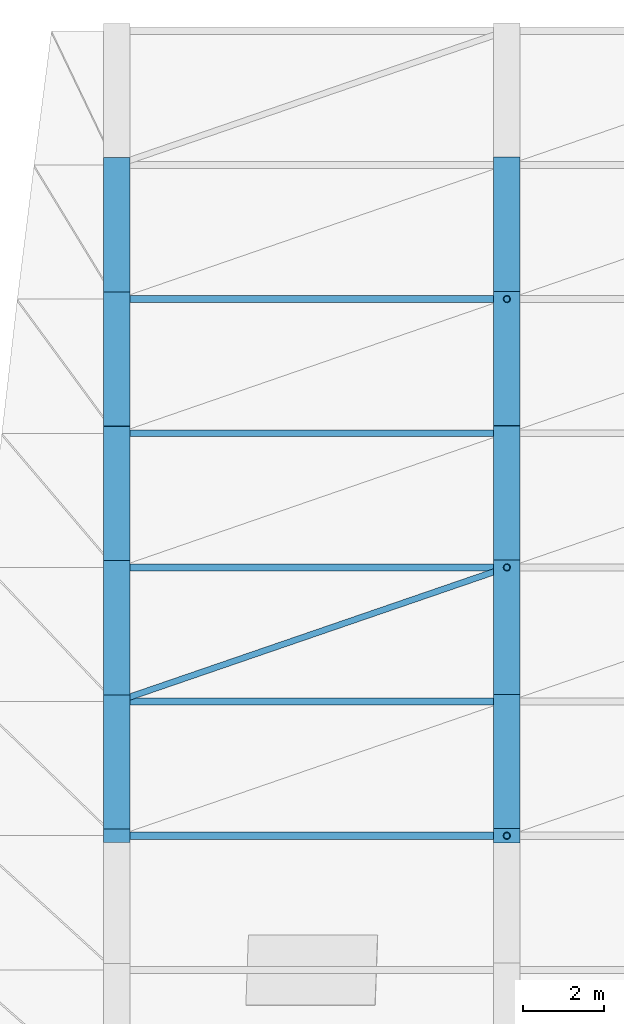
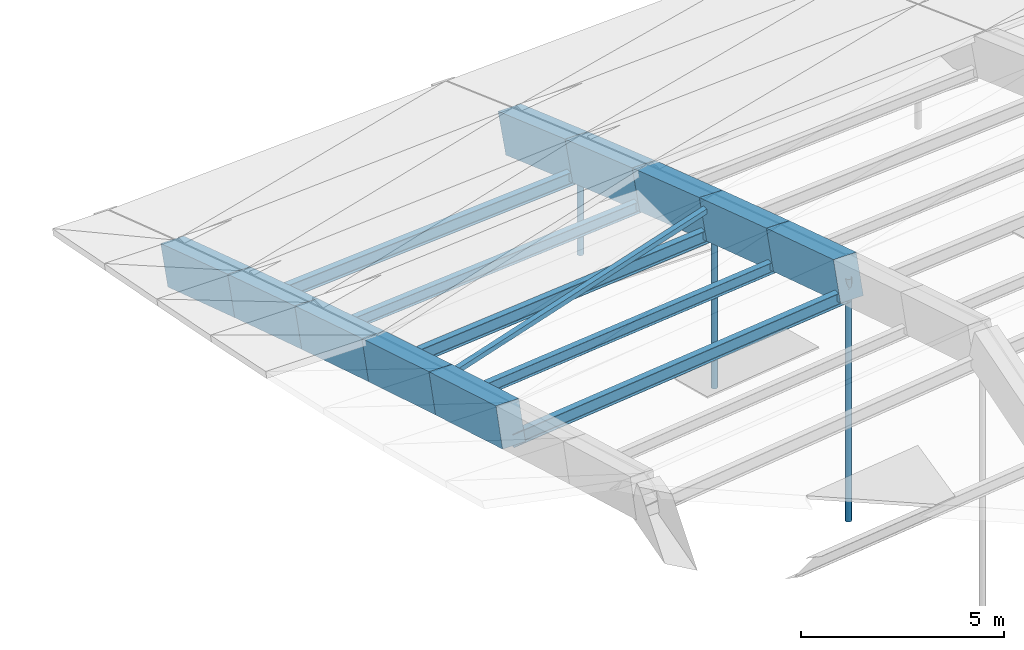
# One storey, part 18 of 43: 10 beams, 9 members.
"""IFC4 building model written with IfcOpenShell, lengths in metres."""

from ifc_helpers import new_model, si_unit, direction, frame, origin, origin_2d, place, context, subcontext, project, spatial, rectangle, hollow_rectangle, hollow_circle, i_section, extrude, material, material_profile, profile_set, type_object, element, save


model = new_model("IFC4")

# Units and contexts
model_context = context("Model", 3, precision=1e-05, world=origin(), true_north=direction((0.0, 1.0)))
body_context = subcontext(model_context, "Body", "Model", "MODEL_VIEW")
ifc_project = project(units=[si_unit("LENGTHUNIT", "METRE"), si_unit("AREAUNIT", "SQUARE_METRE"), si_unit("VOLUMEUNIT", "CUBIC_METRE"), si_unit("PLANEANGLEUNIT", "RADIAN"), si_unit("MASSUNIT", "GRAM", prefix="KILO")], contexts=[model_context])

# Site, building, storey
site_placement = place(None, origin())
site = spatial("IfcSite", under=ifc_project, at=site_placement, CompositionType="ELEMENT")
building_placement = place(site_placement, origin())
building = spatial("IfcBuilding", under=site, at=building_placement, Name="Chalmorin Arch Market", CompositionType="ELEMENT")
storey_placement = place(building_placement, frame((0.0, 0.0, 18.60009765625)))
storey = spatial("IfcBuildingStorey", under=building, at=storey_placement, Name="RF", CompositionType="ELEMENT", Elevation=18.60009765625)

# Members
ifc_material_1 = material(Name="Steel A500 Grade C", Category="steel")
ifc_material_profile_1 = material_profile(ifc_material_1, hollow_circle(Radius=0.084228515625, WallThickness=0.007080078125, at=origin_2d()), Name="CHS168X7")
ifc_profile_set_1 = profile_set([ifc_material_profile_1], Name="Steel A500 Grade C")
member_type_1 = type_object("IfcMemberType", Name="ArchHangerTie-CHS168", PredefinedType="CHORD", material=ifc_profile_set_1)
member_1_placement = place(storey_placement, frame((57.60009765625, 39.0, -3.283447265625), z_axis=(0.0, 0.0, 1.0), x_axis=(1.0, 0.0, 0.0)))
element("IfcMember", 1, at=member_1_placement, inside=storey, type_object=member_type_1, Name="HT-CH168-0139", PredefinedType="CHORD", context=body_context, shape_type="SweptSolid", body=[
    extrude(hollow_circle(Radius=0.084228515625, WallThickness=0.007080078125, at=origin_2d()), origin(), (0.0, 0.0, 1.0), 7.291748046875),
])
member_2_placement = place(storey_placement, frame((57.60009765625, 45.60009765625, -3.283447265625), z_axis=(0.0, 0.0, 1.0), x_axis=(1.0, 0.0, 0.0)))
element("IfcMember", 2, at=member_2_placement, inside=storey, type_object=member_type_1, Name="HT-CH168-0140", PredefinedType="CHORD", context=body_context, shape_type="SweptSolid", body=[
    extrude(hollow_circle(Radius=0.084228515625, WallThickness=0.007080078125, at=origin_2d()), origin(), (0.0, 0.0, 1.0), 5.154052734375),
])
member_3_placement = place(storey_placement, frame((57.60009765625, 52.199951171875, -3.283447265625), z_axis=(0.0, 0.0, 1.0), x_axis=(1.0, 0.0, 0.0)))
element("IfcMember", 3, at=member_3_placement, inside=storey, type_object=member_type_1, Name="HT-CH168-0141", PredefinedType="CHORD", context=body_context, shape_type="SweptSolid", body=[
    extrude(hollow_circle(Radius=0.084228515625, WallThickness=0.007080078125, at=origin_2d()), origin(), (0.0, 0.0, 1.0), 2.90673828125),
])

# Beams
ifc_material_2 = material(Name="Concrete C50/60", Category="concrete")
ifc_material_profile_2 = material_profile(ifc_material_2, rectangle(XDim=0.64990234375, YDim=1.14990234375, at=origin_2d()), Name="RC650X1150")
ifc_profile_set_2 = profile_set([ifc_material_profile_2], Name="Concrete C50/60")
beam_type = type_object("IfcBeamType", Name="ArchRibChord-650x1150", PredefinedType="BEAM", material=ifc_profile_set_2)
beam_1_placement = place(storey_placement, frame((48.0, 39.0, 2.976806640625), z_axis=(0.0, 0.959049689051, -0.283237875171), x_axis=(-1.0, 0.0, 0.0)))
element("IfcBeam", 4, at=beam_1_placement, inside=storey, type_object=beam_type, Name="AR-01-1595", PredefinedType="BEAM", context=body_context, shape_type="SweptSolid", body=[
    extrude(rectangle(XDim=0.64990234375, YDim=1.14990234375, at=origin_2d()), origin(), (0.0, 0.0, 1.0), 3.44091796875),
])
beam_2_placement = place(storey_placement, frame((48.0, 42.300048828125, 2.002197265625), z_axis=(0.0, 0.957045243912, -0.2899386161), x_axis=(-1.0, 0.0, 0.0)))
element("IfcBeam", 5, at=beam_2_placement, inside=storey, type_object=beam_type, Name="AR-01-1596", PredefinedType="BEAM", context=body_context, shape_type="SweptSolid", body=[
    extrude(rectangle(XDim=0.64990234375, YDim=1.14990234375, at=origin_2d()), origin(), (0.0, 0.0, 1.0), 3.4482421875),
])
beam_3_placement = place(storey_placement, frame((48.0, 45.60009765625, 1.00244140625), z_axis=(0.0, 0.954976504042, -0.29668143981), x_axis=(-1.0, 0.0, 0.0)))
element("IfcBeam", 6, at=beam_3_placement, inside=storey, type_object=beam_type, Name="AR-01-1597", PredefinedType="BEAM", context=body_context, shape_type="SweptSolid", body=[
    extrude(rectangle(XDim=0.64990234375, YDim=1.14990234375, at=origin_2d()), origin(), (0.0, 0.0, 1.0), 3.455322265625),
])
beam_4_placement = place(storey_placement, frame((48.0, 48.89990234375, -0.022705078125), z_axis=(0.0, 0.952882256339, -0.303340412002), x_axis=(-1.0, 0.0, 0.0)))
element("IfcBeam", 7, at=beam_4_placement, inside=storey, type_object=beam_type, Name="AR-01-1598", PredefinedType="BEAM", context=body_context, shape_type="SweptSolid", body=[
    extrude(rectangle(XDim=0.64990234375, YDim=1.14990234375, at=origin_2d()), origin(), (0.0, 0.0, 1.0), 3.463134765625),
])
beam_5_placement = place(storey_placement, frame((48.0, 52.199951171875, -1.0732421875), z_axis=(0.0, 0.950765438131, -0.309911409366), x_axis=(-1.0, 0.0, 0.0)))
element("IfcBeam", 8, at=beam_5_placement, inside=storey, type_object=beam_type, Name="AR-01-1599", PredefinedType="BEAM", context=body_context, shape_type="SweptSolid", body=[
    extrude(rectangle(XDim=0.64990234375, YDim=1.14990234375, at=origin_2d()), origin(), (0.0, 0.0, 1.0), 3.470947265625),
])
beam_6_placement = place(storey_placement, frame((57.60009765625, 39.0, 4.00830078125), z_axis=(0.0, 0.952494485955, -0.304555831049), x_axis=(-1.0, 0.0, 0.0)))
element("IfcBeam", 9, at=beam_6_placement, inside=storey, type_object=beam_type, Name="AR-01-1614", PredefinedType="BEAM", context=body_context, shape_type="SweptSolid", body=[
    extrude(rectangle(XDim=0.64990234375, YDim=1.14990234375, at=origin_2d()), origin(), (0.0, 0.0, 1.0), 3.464599609375),
])
beam_7_placement = place(storey_placement, frame((57.60009765625, 42.300048828125, 2.953125), z_axis=(0.0, 0.950183815663, -0.311690096815), x_axis=(-1.0, 0.0, 0.0)))
element("IfcBeam", 10, at=beam_7_placement, inside=storey, type_object=beam_type, Name="AR-01-1615", PredefinedType="BEAM", context=body_context, shape_type="SweptSolid", body=[
    extrude(rectangle(XDim=0.64990234375, YDim=1.14990234375, at=origin_2d()), origin(), (0.0, 0.0, 1.0), 3.47314453125),
])
beam_8_placement = place(storey_placement, frame((57.60009765625, 45.60009765625, 1.87060546875), z_axis=(0.0, 0.947824287772, -0.318793223751), x_axis=(-1.0, 0.0, 0.0)))
element("IfcBeam", 11, at=beam_8_placement, inside=storey, type_object=beam_type, Name="AR-01-1616", PredefinedType="BEAM", context=body_context, shape_type="SweptSolid", body=[
    extrude(rectangle(XDim=0.64990234375, YDim=1.14990234375, at=origin_2d()), origin(), (0.0, 0.0, 1.0), 3.4814453125),
])
beam_9_placement = place(storey_placement, frame((57.60009765625, 48.89990234375, 0.7607421875), z_axis=(0.0, 0.945416826687, -0.325863504885), x_axis=(-1.0, 0.0, 0.0)))
element("IfcBeam", 12, at=beam_9_placement, inside=storey, type_object=beam_type, Name="AR-01-1617", PredefinedType="BEAM", context=body_context, shape_type="SweptSolid", body=[
    extrude(rectangle(XDim=0.64990234375, YDim=1.14990234375, at=origin_2d()), origin(), (0.0, 0.0, 1.0), 3.490478515625),
])
beam_10_placement = place(storey_placement, frame((57.60009765625, 52.199951171875, -0.376708984375), z_axis=(0.0, 0.94300578807, -0.332776326781), x_axis=(-1.0, 0.0, 0.0)))
element("IfcBeam", 13, at=beam_10_placement, inside=storey, type_object=beam_type, Name="AR-01-1618", PredefinedType="BEAM", context=body_context, shape_type="SweptSolid", body=[
    extrude(rectangle(XDim=0.64990234375, YDim=1.14990234375, at=origin_2d()), origin(), (0.0, 0.0, 1.0), 3.49951171875),
])

# Members
ifc_material_3 = material(Name="Steel A992 Grade 50", Category="steel")
ifc_material_profile_3 = material_profile(ifc_material_3, i_section(OverallWidth=0.1708984375, OverallDepth=0.35107421875, WebThickness=0.0068359375, FlangeThickness=0.009765625, FilletRadius=0.014892578125, at=origin_2d()), Name="W14X30")
ifc_profile_set_3 = profile_set([ifc_material_profile_3], Name="Steel A992 Grade 50")
member_type_2 = type_object("IfcMemberType", Name="RoofSteelPurlin-W14X30", PredefinedType="PURLIN", material=ifc_profile_set_3)
member_4_placement = place(storey_placement, frame((48.02001953125, 42.300048828125, 1.522216796875), z_axis=(0.995089386539, 0.0, 0.098980365713), x_axis=(0.0, 1.0, 0.0)))
element("IfcMember", 14, at=member_4_placement, inside=storey, type_object=member_type_2, Name="PR-W14-0195", PredefinedType="PURLIN", context=body_context, shape_type="SweptSolid", body=[
    extrude(i_section(OverallWidth=0.1708984375, OverallDepth=0.35107421875, WebThickness=0.0068359375, FlangeThickness=0.009765625, FilletRadius=0.014892578125, at=origin_2d()), origin(), (0.0, 0.0, 1.0), 9.607177734375),
])
member_5_placement = place(storey_placement, frame((48.02001953125, 48.89990234375, -0.502685546875), z_axis=(0.996658913962, 0.0, 0.081676246358), x_axis=(0.0, 1.0, 0.0)))
element("IfcMember", 15, at=member_5_placement, inside=storey, type_object=member_type_2, Name="PR-W14-0197", PredefinedType="PURLIN", context=body_context, shape_type="SweptSolid", body=[
    extrude(i_section(OverallWidth=0.1708984375, OverallDepth=0.35107421875, WebThickness=0.0068359375, FlangeThickness=0.009765625, FilletRadius=0.014892578125, at=origin_2d()), origin(), (0.0, 0.0, 1.0), 9.592041015625),
])
ifc_material_profile_4 = material_profile(ifc_material_3, i_section(OverallWidth=0.178955078125, OverallDepth=0.409912109375, WebThickness=0.0087890625, FlangeThickness=0.014404296875, FilletRadius=0.01806640625, at=origin_2d()), Name="W16X45")
ifc_profile_set_4 = profile_set([ifc_material_profile_4], Name="Steel A992 Grade 50")
member_type_3 = type_object("IfcMemberType", Name="RoofSteelPurlin-W16X45", PredefinedType="PURLIN", material=ifc_profile_set_4)
member_6_placement = place(storey_placement, frame((48.02001953125, 39.0, 2.496826171875), z_axis=(0.994229537793, 0.0, 0.1072736043), x_axis=(0.0, 1.0, 0.0)))
element("IfcMember", 16, at=member_6_placement, inside=storey, type_object=member_type_3, Name="PR-W16-0194", PredefinedType="PURLIN", context=body_context, shape_type="SweptSolid", body=[
    extrude(i_section(OverallWidth=0.178955078125, OverallDepth=0.409912109375, WebThickness=0.0087890625, FlangeThickness=0.014404296875, FilletRadius=0.01806640625, at=origin_2d()), origin(), (0.0, 0.0, 1.0), 9.615478515625),
])
member_7_placement = place(storey_placement, frame((48.02001953125, 45.60009765625, 0.5224609375), z_axis=(0.995901957403, 0.0, 0.090439434101), x_axis=(0.0, 1.0, 0.0)))
element("IfcMember", 17, at=member_7_placement, inside=storey, type_object=member_type_3, Name="PR-W16-0196", PredefinedType="PURLIN", context=body_context, shape_type="SweptSolid", body=[
    extrude(i_section(OverallWidth=0.178955078125, OverallDepth=0.409912109375, WebThickness=0.0087890625, FlangeThickness=0.014404296875, FilletRadius=0.01806640625, at=origin_2d()), origin(), (0.0, 0.0, 1.0), 9.599365234375),
])
member_8_placement = place(storey_placement, frame((48.02001953125, 52.199951171875, -1.55322265625), z_axis=(0.997356327314, 0.0, 0.072666060622), x_axis=(0.0, 1.0, 0.0)))
element("IfcMember", 18, at=member_8_placement, inside=storey, type_object=member_type_3, Name="PR-W16-0198", PredefinedType="PURLIN", context=body_context, shape_type="SweptSolid", body=[
    extrude(i_section(OverallWidth=0.178955078125, OverallDepth=0.409912109375, WebThickness=0.0087890625, FlangeThickness=0.014404296875, FilletRadius=0.01806640625, at=origin_2d()), origin(), (0.0, 0.0, 1.0), 9.58544921875),
])
ifc_material_profile_5 = material_profile(ifc_material_1, hollow_rectangle(XDim=0.15234375, YDim=0.15234375, WallThickness=0.0087890625, at=origin_2d()), Name="HSS6X6X3/8")
ifc_profile_set_5 = profile_set([ifc_material_profile_5], Name="Steel A500 Grade C")
member_type_4 = type_object("IfcMemberType", Name="VaultWindBrace-HSS6X6", PredefinedType="BRACE", material=ifc_profile_set_5)
member_9_placement = place(storey_placement, frame((48.0, 42.300048828125, 2.352294921875), z_axis=(0.945606692924, 0.325053803679, -0.012961751882), x_axis=(-0.325081112779, 0.945686137212, 0.0)))
element("IfcMember", 19, at=member_9_placement, inside=storey, type_object=member_type_4, Name="BR-HS6-0203", ObjectType="Diagonal brace", PredefinedType="BRACE", context=body_context, shape_type="SweptSolid", body=[
    extrude(hollow_rectangle(XDim=0.15234375, YDim=0.15234375, WallThickness=0.0087890625, at=origin_2d()), origin(), (0.0, 0.0, 1.0), 10.15234375),
])

save(model, "model.ifc")
